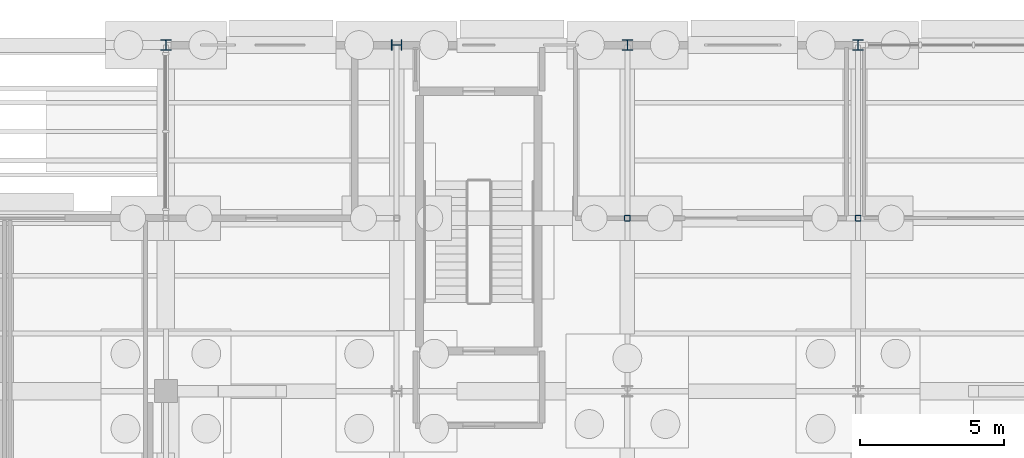
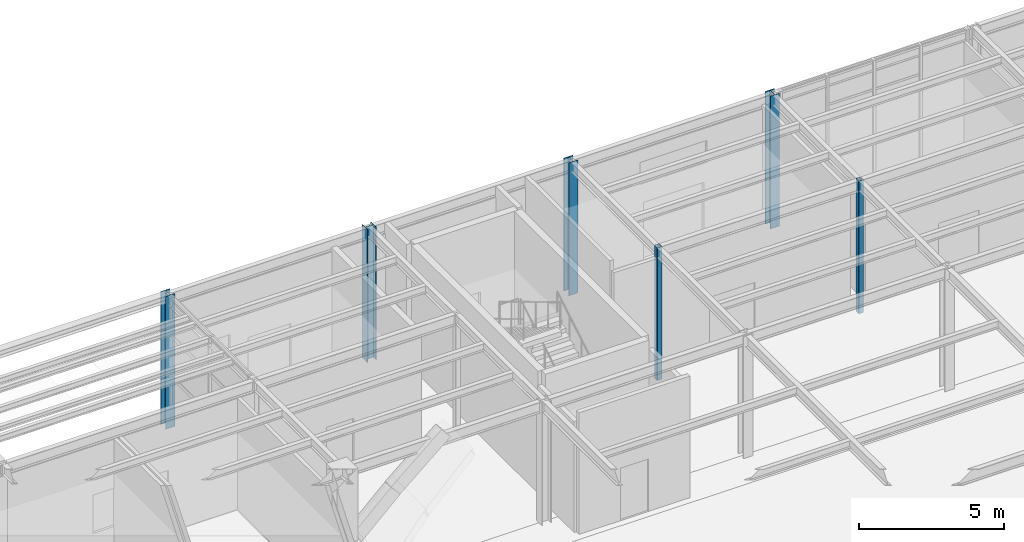
# One storey, part 23 of 129: 6 columns.
"""IFC4 building model written with IfcOpenShell, lengths in metres."""

import ifcopenshell
import ifcopenshell.guid

model = None  # the IFC model being written
_history = None  # IfcOwnerHistory: only IFC2X3 demands one
_inside = {}  # id of a spatial element -> (the spatial element, [elements in it])
_under = {}  # id of a project, library or spatial element -> (it, [spatial elements below it])
_declared = {}  # id of a project -> (the project, [libraries it declares])
_typed = {}  # id of a type object -> (the type object, [elements of that type])
_made_of = {}  # id of a material, layer set ... -> (it, [elements and type objects made of it])


def new_model(schema):
    """Start an empty IFC model of exactly this schema.

    Asked for "IFC4X3", IfcOpenShell would pick the latest addendum, in which some entities
    have other attributes; the version numbers below select the first issue.
    IFC2X3 requires an IfcOwnerHistory on every rooted entity: one is made here for all.
    """
    global model, _history
    if schema == "IFC4X3":
        model = ifcopenshell.file(schema_version=(4, 3, 0, 0))
    else:
        model = ifcopenshell.file(schema=schema)
    _inside.clear()
    _under.clear()
    _declared.clear()
    _typed.clear()
    _made_of.clear()
    _history = None
    if model.schema == "IFC2X3":
        org = make("IfcOrganization", Name="unknown")
        user = make(
            "IfcPersonAndOrganization",
            ThePerson=make("IfcPerson", FamilyName="unknown"),
            TheOrganization=org,
        )
        app = make(
            "IfcApplication",
            ApplicationDeveloper=org,
            Version="unknown",
            ApplicationFullName="unknown",
            ApplicationIdentifier="unknown",
        )
        _history = make(
            "IfcOwnerHistory",
            OwningUser=user,
            OwningApplication=app,
            ChangeAction="ADDED",
            CreationDate=0,
        )
    return model


def make(cls, **values):
    """One entity of the class cls with the attributes given. An attribute that is None is left unset."""
    return model.create_entity(
        cls, **{name: value for name, value in values.items() if value is not None}
    )


def rooted(cls, **values):
    """An entity with a GlobalId (a new one), such as an element, a storey or a relation."""
    return make(cls, GlobalId=ifcopenshell.guid.new(), OwnerHistory=_history, **values)


def si_unit(unit_type, name, prefix=None):
    """IfcSIUnit, for example si_unit("LENGTHUNIT", "METRE", prefix="MILLI")."""
    return make("IfcSIUnit", UnitType=unit_type, Prefix=prefix, Name=name)


def assignment(units):
    """IfcUnitAssignment: the units of a project."""
    return None if units is None else make("IfcUnitAssignment", Units=units)


def point(xyz):
    """IfcCartesianPoint."""
    return None if xyz is None else make("IfcCartesianPoint", Coordinates=xyz)


def direction(xyz):
    """IfcDirection."""
    return None if xyz is None else make("IfcDirection", DirectionRatios=xyz)


def frame(location, z_axis=None, x_axis=None):
    """IfcAxis2Placement3D, a coordinate frame: its origin and axes. An axis left out is left unset."""
    return make(
        "IfcAxis2Placement3D",
        Location=point(location),
        Axis=direction(z_axis),
        RefDirection=direction(x_axis),
    )


def frame_2d(location, x_axis=None):
    """IfcAxis2Placement2D, a coordinate frame in the plane: its origin and x axis."""
    return make(
        "IfcAxis2Placement2D", Location=point(location), RefDirection=direction(x_axis)
    )


def origin():
    """The frame at (0, 0, 0) with its axes left unset."""
    return frame((0.0, 0.0, 0.0))


def origin_2d():
    """The frame at (0, 0) in the plane with its x axis left unset."""
    return frame_2d((0.0, 0.0))


def place(relative_to, where):
    """IfcLocalPlacement: puts the frame where relative to a parent placement (None: the world)."""
    return make(
        "IfcLocalPlacement", PlacementRelTo=relative_to, RelativePlacement=where
    )


def context(
    kind, dimensions, precision=None, world=None, true_north=None, identifier=None
):
    """IfcGeometricRepresentationContext, for example the 3D "Model" context."""
    return make(
        "IfcGeometricRepresentationContext",
        ContextIdentifier=identifier,
        ContextType=kind,
        CoordinateSpaceDimension=dimensions,
        Precision=precision,
        WorldCoordinateSystem=world,
        TrueNorth=true_north,
    )


def subcontext(parent, identifier, kind, view, scale=None):
    """IfcGeometricRepresentationSubContext, for example "Body" below "Model"."""
    return make(
        "IfcGeometricRepresentationSubContext",
        ContextIdentifier=identifier,
        ContextType=kind,
        ParentContext=parent,
        TargetScale=scale,
        TargetView=view,
    )


def project(units=None, contexts=None):
    """IfcProject with its units and contexts."""
    return rooted(
        "IfcProject",
        Name="project",
        RepresentationContexts=contexts,
        UnitsInContext=assignment(units),
    )


def spatial(cls, under=None, at=None, **own):
    """A site, building, storey or space (cls), placed at a placement, below another one or the project."""
    s = rooted(cls, ObjectPlacement=at, **own)
    if under is not None:
        _under.setdefault(under.id(), (under, []))[1].append(s)
    return s


def profile(cls, at=None, kind="AREA", **sizes):
    """A parametric profile (cls). Its sizes go by their IFC names, for example OverallWidth=200.0."""
    return make(cls, ProfileType=kind, Position=at, **sizes)


def hollow_rectangle(**sizes):
    """IfcRectangleHollowProfileDef."""
    return profile("IfcRectangleHollowProfileDef", **sizes)


def i_section(**sizes):
    """IfcIShapeProfileDef."""
    return profile("IfcIShapeProfileDef", **sizes)


def extrude(swept, where, along, depth):
    """IfcExtrudedAreaSolid: the profile swept, set in the frame where, extruded along a direction by depth."""
    return make(
        "IfcExtrudedAreaSolid",
        SweptArea=swept,
        Position=where,
        ExtrudedDirection=direction(along),
        Depth=depth,
    )


def shape(context_of_items, identifier, shape_type, items):
    """IfcShapeRepresentation: the items that make up one representation, for example the "Body"."""
    return make(
        "IfcShapeRepresentation",
        ContextOfItems=context_of_items,
        RepresentationIdentifier=identifier,
        RepresentationType=shape_type,
        Items=items,
    )


def material(Name=None, Category=None):
    """IfcMaterial."""
    return make("IfcMaterial", Name=Name, Category=Category)


def material_profile(
    of_material, cross_section, Name=None, Category=None, Priority=None
):
    """IfcMaterialProfile: a cross section and its material."""
    return make(
        "IfcMaterialProfile",
        Name=Name,
        Material=of_material,
        Profile=cross_section,
        Priority=Priority,
        Category=Category,
    )


def profile_set(profiles, Name=None, composite=None):
    """IfcMaterialProfileSet."""
    return make(
        "IfcMaterialProfileSet",
        Name=Name,
        MaterialProfiles=profiles,
        CompositeProfile=composite,
    )


def made_of(thing, what):
    """Note that an element or type object is made of a material, layer set ...; save() writes the relation."""
    if what is not None:
        _made_of.setdefault(what.id(), (what, []))[1].append(thing)
    return thing


def type_object(cls, material=None, **own):
    """A type object (cls), such as IfcWallType, which elements share."""
    return made_of(rooted(cls, **own), material)


def element(
    cls,
    number,
    at=None,
    inside=None,
    cuts=None,
    type_object=None,
    material=None,
    context=None,
    identifier="Body",
    shape_type=None,
    held_by="IfcProductDefinitionShape",
    body=None,
    shapes=None,
    **own,
):
    """One element of the class cls, such as IfcWall. Its Tag is "e" and its number.

    at: its placement. inside: the storey or other place that contains it. cuts: it is an
    opening in that element (IfcRelVoidsElement). A single representation is given by context,
    identifier, shape_type and body (its items); several are given by shapes. held_by: the class
    of the entity that holds the representations. save() writes the other relations.
    """
    e = rooted(cls, Tag="e%d" % number, ObjectPlacement=at, **own)
    if body is not None:
        shapes = [shape(context, identifier, shape_type, body)]
    if shapes is not None:
        e.Representation = make(held_by, Representations=shapes)
    if inside is not None:
        _inside.setdefault(inside.id(), (inside, []))[1].append(e)
    if cuts is not None:
        rooted(
            "IfcRelVoidsElement", RelatingBuildingElement=cuts, RelatedOpeningElement=e
        )
    if type_object is not None:
        _typed.setdefault(type_object.id(), (type_object, []))[1].append(e)
    return made_of(e, material)


def aggregate(whole, parts):
    """IfcRelAggregates: a whole, such as a stair, and the parts it consists of."""
    return rooted("IfcRelAggregates", RelatingObject=whole, RelatedObjects=parts)


def save(model, path):
    """Write the relations noted so far, then the file.

    IfcRelAggregates (storeys below a building ...), IfcRelContainedInSpatialStructure (elements
    in a storey), IfcRelDefinesByType, IfcRelAssociatesMaterial and IfcRelDeclares: one each for
    every whole, place, type object, material and project.
    """
    for whole, parts in _under.values():
        aggregate(whole, parts)
    for where, things in _inside.values():
        rooted(
            "IfcRelContainedInSpatialStructure",
            RelatedElements=things,
            RelatingStructure=where,
        )
    for kind, things in _typed.values():
        rooted("IfcRelDefinesByType", RelatedObjects=things, RelatingType=kind)
    for what, things in _made_of.values():
        rooted("IfcRelAssociatesMaterial", RelatedObjects=things, RelatingMaterial=what)
    for by, libraries in _declared.values():
        rooted("IfcRelDeclares", RelatingContext=by, RelatedDefinitions=libraries)
    model.write(path)


model = new_model("IFC4")

# Units and contexts
model_context = context("Model", 3, precision=1e-05, world=origin(), true_north=direction((0.0, 1.0)))
body_context = subcontext(model_context, "Body", "Model", "MODEL_VIEW")
ifc_project = project(units=[si_unit("LENGTHUNIT", "METRE"), si_unit("AREAUNIT", "SQUARE_METRE"), si_unit("VOLUMEUNIT", "CUBIC_METRE"), si_unit("PLANEANGLEUNIT", "RADIAN"), si_unit("MASSUNIT", "GRAM", prefix="KILO")], contexts=[model_context])

# Site, building, storey
site_placement = place(None, origin())
site = spatial("IfcSite", under=ifc_project, at=site_placement, CompositionType="ELEMENT")
building_placement = place(site_placement, origin())
building = spatial("IfcBuilding", under=site, at=building_placement, Name="Sitalva Quay Ferry Terminal", CompositionType="ELEMENT")
storey_placement = place(building_placement, origin())
storey = spatial("IfcBuildingStorey", under=building, at=storey_placement, Name="L01", CompositionType="ELEMENT", Elevation=0.0)

# Columns
ifc_material_1 = material(Name="Structural Steel S355JR", Category="steel")
ifc_material_profile_1 = material_profile(ifc_material_1, hollow_rectangle(XDim=0.199951171875, YDim=0.199951171875, WallThickness=0.010009765625, InnerFilletRadius=0.010009765625, OuterFilletRadius=0.02001953125, at=origin_2d()), Name="SHS200x200x10")
ifc_profile_set_1 = profile_set([ifc_material_profile_1], Name="Structural Steel S355JR")
column_type_1 = type_object("IfcColumnType", Name="Col_SHS200x10", PredefinedType="COLUMN", material=ifc_profile_set_1)
for number, where, z_axis, x_axis, name in (
    (1, (58.0, 106.0, -0.449951171875), (0.0, 0.0, 1.0), (1.0, 0.0, 0.0), "L01 column 8M"),
    (2, (66.0, 106.0, -0.449951171875), (0.0, 0.0, 1.0), (1.0, 0.0, 0.0), "L01 column 9M"),
):
    element("IfcColumn", number, at=place(storey_placement, frame(where, z_axis=z_axis, x_axis=x_axis)), inside=storey, type_object=column_type_1, Name=name, PredefinedType="COLUMN", context=body_context, shape_type="SweptSolid", body=[
        extrude(hollow_rectangle(XDim=0.199951171875, YDim=0.199951171875, WallThickness=0.010009765625, InnerFilletRadius=0.010009765625, OuterFilletRadius=0.02001953125, at=origin_2d()), origin(), (0.0, 0.0, 1.0), 5.570068359375),
    ])
ifc_material_2 = material(Name="Structural Steel S355JR", Category="steel")
ifc_material_profile_2 = material_profile(ifc_material_2, i_section(OverallWidth=0.368896484375, OverallDepth=0.35595703125, WebThickness=0.01123046875, FlangeThickness=0.01806640625, FilletRadius=0.014892578125, at=origin_2d()), Name="W360x134")
ifc_profile_set_2 = profile_set([ifc_material_profile_2], Name="Structural Steel S355JR")
column_type_2 = type_object("IfcColumnType", Name="Col_W360x134", PredefinedType="COLUMN", material=ifc_profile_set_2)
for number, where, z_axis, x_axis, name in (
    (3, (42.0, 112.0, -0.449951171875), (0.0, 0.0, 1.0), (1.0, 0.0, 0.0), "L01 column 6N"),
    (4, (50.0, 112.0, -0.449951171875), (0.0, 0.0, 1.0), (0.0, 1.0, 0.0), "L01 column 7N"),
    (5, (58.0, 112.0, -0.449951171875), (0.0, 0.0, 1.0), (1.0, 0.0, 0.0), "L01 column 8N"),
    (6, (66.0, 112.0, -0.449951171875), (0.0, 0.0, 1.0), (1.0, 0.0, 0.0), "L01 column 9N"),
):
    element("IfcColumn", number, at=place(storey_placement, frame(where, z_axis=z_axis, x_axis=x_axis)), inside=storey, type_object=column_type_2, Name=name, PredefinedType="COLUMN", context=body_context, shape_type="SweptSolid", body=[
        extrude(i_section(OverallWidth=0.368896484375, OverallDepth=0.35595703125, WebThickness=0.01123046875, FlangeThickness=0.01806640625, FilletRadius=0.014892578125, at=origin_2d()), origin(), (0.0, 0.0, 1.0), 5.570068359375),
    ])

save(model, "model.ifc")
